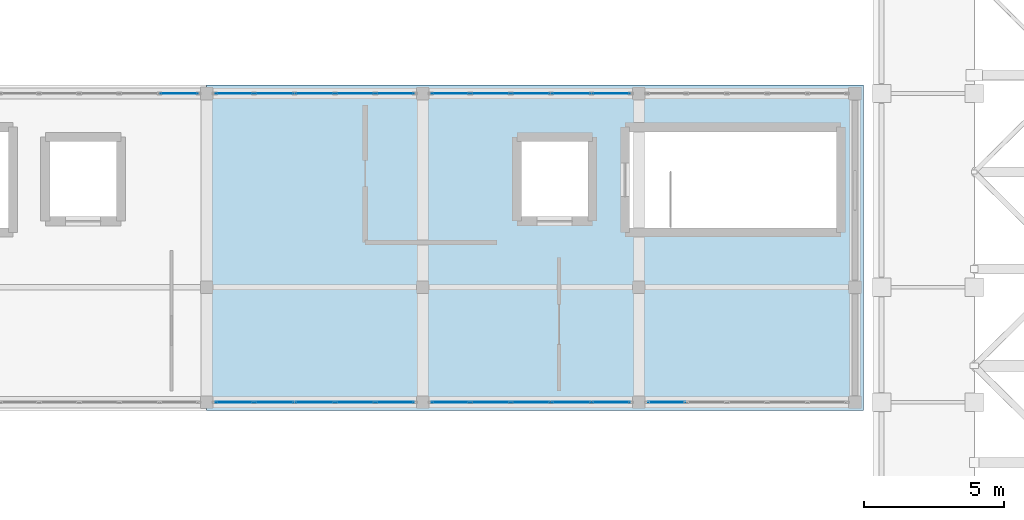
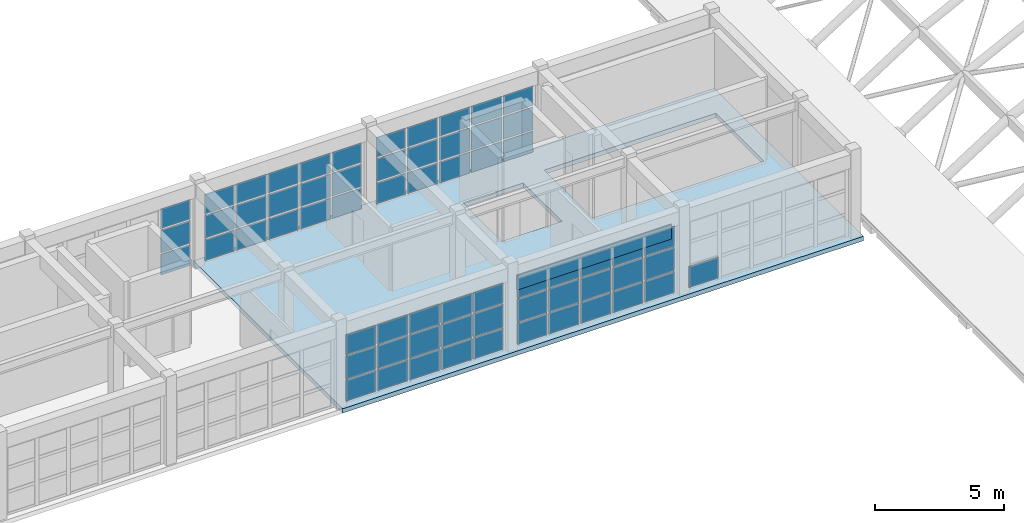
# One storey, part 37 of 52: 65 plates, 1 slab, 6 elements without a shape of their own.
"""IFC4 building model written with IfcOpenShell, lengths in metres."""

from ifc_helpers import new_model, si_unit, direction, frame, origin, origin_2d, place, context, subcontext, project, spatial, polyline, rectangle, outline, extrude, material, layer, layer_set, type_object, element, aggregate, save


model = new_model("IFC4")

# Units and contexts
model_context = context("Model", 3, precision=1e-05, world=origin(), true_north=direction((0.0, 1.0)))
body_context = subcontext(model_context, "Body", "Model", "MODEL_VIEW")
ifc_project = project(units=[si_unit("LENGTHUNIT", "METRE"), si_unit("AREAUNIT", "SQUARE_METRE"), si_unit("VOLUMEUNIT", "CUBIC_METRE"), si_unit("PLANEANGLEUNIT", "RADIAN"), si_unit("MASSUNIT", "GRAM", prefix="KILO")], contexts=[model_context])

# Site, building, storey
site_placement = place(None, origin())
site = spatial("IfcSite", under=ifc_project, at=site_placement, CompositionType="ELEMENT")
building_placement = place(site_placement, origin())
building = spatial("IfcBuilding", under=site, at=building_placement, Name="Candilejo Ridge Gondola Terminal", CompositionType="ELEMENT")
storey_placement = place(building_placement, frame((0.0, 0.0, 18.60009765625)))
storey = spatial("IfcBuildingStorey", under=building, at=storey_placement, Name="L04", CompositionType="ELEMENT", Elevation=18.60009765625)

# Curtain wall, plates
ifc_material_1 = material(Name="Anodised aluminium AA 6063-T6", Category="aluminium")
ifc_layer_1 = layer(ifc_material_1, 0.169921875)
ifc_layer_set_1 = layer_set([ifc_layer_1], Name="ARC-CW-GALLERY-3200-715X329")
curtain_wall_type_1 = type_object("IfcCurtainWallType", Name="ARC-CW-GALLERY-3200-715X329", PredefinedType="NOTDEFINED", material=ifc_layer_set_1)
curtain_wall_1_placement = place(storey_placement, origin())
curtain_wall_1 = element("IfcCurtainWall", 1, at=curtain_wall_1_placement, inside=storey, type_object=curtain_wall_type_1, Name="Curtain wall V3 L04-102", PredefinedType="NOTDEFINED")
ifc_material_2 = material(Name="Low-E laminated double glazing 6+12A+6+1.52PVB+6 mm", Category="glass")
ifc_layer_2 = layer(ifc_material_2, 0.028076171875)
ifc_layer_set_2 = layer_set([ifc_layer_2], Name="ARC-CW-GLAZ-PANEL")
plate_type_1 = type_object("IfcPlateType", Name="ARC-CW-GLAZ-PANEL", PredefinedType="CURTAIN_PANEL", material=ifc_layer_set_2)
plate_1_placement = place(storey_placement, frame((108.8662109375, 36.699951171875, 0.07470703125), z_axis=(0.0, 0.0, 1.0), x_axis=(1.0, 0.0, 0.0)))
plate_1 = element("IfcPlate", 2, at=plate_1_placement, type_object=plate_type_1, Name="CW-71X32 panel 5.1", PredefinedType="CURTAIN_PANEL", context=body_context, shape_type="SweptSolid", body=[
    extrude(rectangle(XDim=1.3173828125, YDim=0.028076171875, at=origin_2d()), origin(), (0.0, 0.0, 1.0), 0.987548828125),
])
plate_2_placement = place(storey_placement, frame((108.8662109375, 36.699951171875, 1.13720703125), z_axis=(0.0, 0.0, 1.0), x_axis=(1.0, 0.0, 0.0)))
plate_2 = element("IfcPlate", 3, at=plate_2_placement, type_object=plate_type_1, Name="CW-71X32 panel 5.2", PredefinedType="CURTAIN_PANEL", context=body_context, shape_type="SweptSolid", body=[
    extrude(rectangle(XDim=1.3173828125, YDim=0.028076171875, at=origin_2d()), origin(), (0.0, 0.0, 1.0), 1.074951171875),
])
plate_3_placement = place(storey_placement, frame((108.8662109375, 36.699951171875, 2.28759765625), z_axis=(0.0, 0.0, 1.0), x_axis=(1.0, 0.0, 0.0)))
plate_3 = element("IfcPlate", 4, at=plate_3_placement, type_object=plate_type_1, Name="CW-71X32 panel 5.3", PredefinedType="CURTAIN_PANEL", context=body_context, shape_type="SweptSolid", body=[
    extrude(rectangle(XDim=1.3173828125, YDim=0.028076171875, at=origin_2d()), origin(), (0.0, 0.0, 1.0), 0.927490234375),
])
aggregate(curtain_wall_1, [plate_1, plate_2, plate_3])

ifc_material_3 = material(Name="Anodised aluminium AA 6063-T6", Category="aluminium")
ifc_layer_3 = layer(ifc_material_3, 0.169921875)
ifc_layer_set_3 = layer_set([ifc_layer_3], Name="ARC-CW-GALLERY-3200-720X329")
curtain_wall_type_2 = type_object("IfcCurtainWallType", Name="ARC-CW-GALLERY-3200-720X329", PredefinedType="NOTDEFINED", material=ifc_layer_set_3)
curtain_wall_2_placement = place(storey_placement, origin())
curtain_wall_2 = element("IfcCurtainWall", 5, at=curtain_wall_2_placement, inside=storey, type_object=curtain_wall_type_2, Name="Curtain wall V3 L04-104", PredefinedType="NOTDEFINED")
plate_4_placement = place(storey_placement, frame((110.8388671875, 36.699951171875, 0.07470703125), z_axis=(0.0, 0.0, 1.0), x_axis=(1.0, 0.0, 0.0)))
plate_4 = element("IfcPlate", 6, at=plate_4_placement, type_object=plate_type_1, Name="CW-72X32 panel 1.1", PredefinedType="CURTAIN_PANEL", context=body_context, shape_type="SweptSolid", body=[
    extrude(rectangle(XDim=1.327392578125, YDim=0.028076171875, at=origin_2d()), origin(), (0.0, 0.0, 1.0), 0.987548828125),
])
plate_5_placement = place(storey_placement, frame((110.8388671875, 36.699951171875, 1.13720703125), z_axis=(0.0, 0.0, 1.0), x_axis=(1.0, 0.0, 0.0)))
plate_5 = element("IfcPlate", 7, at=plate_5_placement, type_object=plate_type_1, Name="CW-72X32 panel 1.2", PredefinedType="CURTAIN_PANEL", context=body_context, shape_type="SweptSolid", body=[
    extrude(rectangle(XDim=1.327392578125, YDim=0.028076171875, at=origin_2d()), origin(), (0.0, 0.0, 1.0), 1.074951171875),
])
plate_6_placement = place(storey_placement, frame((110.8388671875, 36.699951171875, 2.28759765625), z_axis=(0.0, 0.0, 1.0), x_axis=(1.0, 0.0, 0.0)))
plate_6 = element("IfcPlate", 8, at=plate_6_placement, type_object=plate_type_1, Name="CW-72X32 panel 1.3", PredefinedType="CURTAIN_PANEL", context=body_context, shape_type="SweptSolid", body=[
    extrude(rectangle(XDim=1.327392578125, YDim=0.028076171875, at=origin_2d()), origin(), (0.0, 0.0, 1.0), 0.927490234375),
])
plate_7_placement = place(storey_placement, frame((112.260009765625, 36.699951171875, 0.07470703125), z_axis=(0.0, 0.0, 1.0), x_axis=(1.0, 0.0, 0.0)))
plate_7 = element("IfcPlate", 9, at=plate_7_placement, type_object=plate_type_1, Name="CW-72X32 panel 2.1", PredefinedType="CURTAIN_PANEL", context=body_context, shape_type="SweptSolid", body=[
    extrude(rectangle(XDim=1.364990234375, YDim=0.028076171875, at=origin_2d()), origin(), (0.0, 0.0, 1.0), 0.987548828125),
])
plate_8_placement = place(storey_placement, frame((112.260009765625, 36.699951171875, 1.13720703125), z_axis=(0.0, 0.0, 1.0), x_axis=(1.0, 0.0, 0.0)))
plate_8 = element("IfcPlate", 10, at=plate_8_placement, type_object=plate_type_1, Name="CW-72X32 panel 2.2", PredefinedType="CURTAIN_PANEL", context=body_context, shape_type="SweptSolid", body=[
    extrude(rectangle(XDim=1.364990234375, YDim=0.028076171875, at=origin_2d()), origin(), (0.0, 0.0, 1.0), 1.074951171875),
])
plate_9_placement = place(storey_placement, frame((112.260009765625, 36.699951171875, 2.28759765625), z_axis=(0.0, 0.0, 1.0), x_axis=(1.0, 0.0, 0.0)))
plate_9 = element("IfcPlate", 11, at=plate_9_placement, type_object=plate_type_1, Name="CW-72X32 panel 2.3", PredefinedType="CURTAIN_PANEL", context=body_context, shape_type="SweptSolid", body=[
    extrude(rectangle(XDim=1.364990234375, YDim=0.028076171875, at=origin_2d()), origin(), (0.0, 0.0, 1.0), 0.927490234375),
])
plate_10_placement = place(storey_placement, frame((113.699951171875, 36.699951171875, 0.07470703125), z_axis=(0.0, 0.0, 1.0), x_axis=(1.0, 0.0, 0.0)))
plate_10 = element("IfcPlate", 12, at=plate_10_placement, type_object=plate_type_1, Name="CW-72X32 panel 3.1", PredefinedType="CURTAIN_PANEL", context=body_context, shape_type="SweptSolid", body=[
    extrude(rectangle(XDim=1.364990234375, YDim=0.028076171875, at=origin_2d()), origin(), (0.0, 0.0, 1.0), 0.987548828125),
])
plate_11_placement = place(storey_placement, frame((113.699951171875, 36.699951171875, 1.13720703125), z_axis=(0.0, 0.0, 1.0), x_axis=(1.0, 0.0, 0.0)))
plate_11 = element("IfcPlate", 13, at=plate_11_placement, type_object=plate_type_1, Name="CW-72X32 panel 3.2", PredefinedType="CURTAIN_PANEL", context=body_context, shape_type="SweptSolid", body=[
    extrude(rectangle(XDim=1.364990234375, YDim=0.028076171875, at=origin_2d()), origin(), (0.0, 0.0, 1.0), 1.074951171875),
])
plate_12_placement = place(storey_placement, frame((113.699951171875, 36.699951171875, 2.28759765625), z_axis=(0.0, 0.0, 1.0), x_axis=(1.0, 0.0, 0.0)))
plate_12 = element("IfcPlate", 14, at=plate_12_placement, type_object=plate_type_1, Name="CW-72X32 panel 3.3", PredefinedType="CURTAIN_PANEL", context=body_context, shape_type="SweptSolid", body=[
    extrude(rectangle(XDim=1.364990234375, YDim=0.028076171875, at=origin_2d()), origin(), (0.0, 0.0, 1.0), 0.927490234375),
])
plate_13_placement = place(storey_placement, frame((115.139892578125, 36.699951171875, 0.07470703125), z_axis=(0.0, 0.0, 1.0), x_axis=(1.0, 0.0, 0.0)))
plate_13 = element("IfcPlate", 15, at=plate_13_placement, type_object=plate_type_1, Name="CW-72X32 panel 4.1", PredefinedType="CURTAIN_PANEL", context=body_context, shape_type="SweptSolid", body=[
    extrude(rectangle(XDim=1.364990234375, YDim=0.028076171875, at=origin_2d()), origin(), (0.0, 0.0, 1.0), 0.987548828125),
])
plate_14_placement = place(storey_placement, frame((115.139892578125, 36.699951171875, 1.13720703125), z_axis=(0.0, 0.0, 1.0), x_axis=(1.0, 0.0, 0.0)))
plate_14 = element("IfcPlate", 16, at=plate_14_placement, type_object=plate_type_1, Name="CW-72X32 panel 4.2", PredefinedType="CURTAIN_PANEL", context=body_context, shape_type="SweptSolid", body=[
    extrude(rectangle(XDim=1.364990234375, YDim=0.028076171875, at=origin_2d()), origin(), (0.0, 0.0, 1.0), 1.074951171875),
])
plate_15_placement = place(storey_placement, frame((115.139892578125, 36.699951171875, 2.28759765625), z_axis=(0.0, 0.0, 1.0), x_axis=(1.0, 0.0, 0.0)))
plate_15 = element("IfcPlate", 17, at=plate_15_placement, type_object=plate_type_1, Name="CW-72X32 panel 4.3", PredefinedType="CURTAIN_PANEL", context=body_context, shape_type="SweptSolid", body=[
    extrude(rectangle(XDim=1.364990234375, YDim=0.028076171875, at=origin_2d()), origin(), (0.0, 0.0, 1.0), 0.927490234375),
])
plate_16_placement = place(storey_placement, frame((116.561279296875, 36.699951171875, 0.07470703125), z_axis=(0.0, 0.0, 1.0), x_axis=(1.0, 0.0, 0.0)))
plate_16 = element("IfcPlate", 18, at=plate_16_placement, type_object=plate_type_1, Name="CW-72X32 panel 5.1", PredefinedType="CURTAIN_PANEL", context=body_context, shape_type="SweptSolid", body=[
    extrude(rectangle(XDim=1.327392578125, YDim=0.028076171875, at=origin_2d()), origin(), (0.0, 0.0, 1.0), 0.987548828125),
])
plate_17_placement = place(storey_placement, frame((116.561279296875, 36.699951171875, 1.13720703125), z_axis=(0.0, 0.0, 1.0), x_axis=(1.0, 0.0, 0.0)))
plate_17 = element("IfcPlate", 19, at=plate_17_placement, type_object=plate_type_1, Name="CW-72X32 panel 5.2", PredefinedType="CURTAIN_PANEL", context=body_context, shape_type="SweptSolid", body=[
    extrude(rectangle(XDim=1.327392578125, YDim=0.028076171875, at=origin_2d()), origin(), (0.0, 0.0, 1.0), 1.074951171875),
])
plate_18_placement = place(storey_placement, frame((116.561279296875, 36.699951171875, 2.28759765625), z_axis=(0.0, 0.0, 1.0), x_axis=(1.0, 0.0, 0.0)))
plate_18 = element("IfcPlate", 20, at=plate_18_placement, type_object=plate_type_1, Name="CW-72X32 panel 5.3", PredefinedType="CURTAIN_PANEL", context=body_context, shape_type="SweptSolid", body=[
    extrude(rectangle(XDim=1.327392578125, YDim=0.028076171875, at=origin_2d()), origin(), (0.0, 0.0, 1.0), 0.927490234375),
])
aggregate(curtain_wall_2, [plate_4, plate_5, plate_6, plate_7, plate_8, plate_9, plate_10, plate_11, plate_12, plate_13, plate_14, plate_15, plate_16, plate_17, plate_18])

curtain_wall_3_placement = place(storey_placement, origin())
curtain_wall_3 = element("IfcCurtainWall", 21, at=curtain_wall_3_placement, inside=storey, type_object=curtain_wall_type_2, Name="Curtain wall V3 L04-105", PredefinedType="NOTDEFINED")
plate_19_placement = place(storey_placement, frame((110.8388671875, 25.699951171875, 0.07470703125), z_axis=(0.0, 0.0, 1.0), x_axis=(1.0, 0.0, 0.0)))
plate_19 = element("IfcPlate", 22, at=plate_19_placement, type_object=plate_type_1, Name="CW-72X32 panel 1.1", PredefinedType="CURTAIN_PANEL", context=body_context, shape_type="SweptSolid", body=[
    extrude(rectangle(XDim=1.327392578125, YDim=0.028076171875, at=origin_2d()), origin(), (0.0, 0.0, 1.0), 0.987548828125),
])
plate_20_placement = place(storey_placement, frame((110.8388671875, 25.699951171875, 1.13720703125), z_axis=(0.0, 0.0, 1.0), x_axis=(1.0, 0.0, 0.0)))
plate_20 = element("IfcPlate", 23, at=plate_20_placement, type_object=plate_type_1, Name="CW-72X32 panel 1.2", PredefinedType="CURTAIN_PANEL", context=body_context, shape_type="SweptSolid", body=[
    extrude(rectangle(XDim=1.327392578125, YDim=0.028076171875, at=origin_2d()), origin(), (0.0, 0.0, 1.0), 1.074951171875),
])
plate_21_placement = place(storey_placement, frame((110.8388671875, 25.699951171875, 2.28759765625), z_axis=(0.0, 0.0, 1.0), x_axis=(1.0, 0.0, 0.0)))
plate_21 = element("IfcPlate", 24, at=plate_21_placement, type_object=plate_type_1, Name="CW-72X32 panel 1.3", PredefinedType="CURTAIN_PANEL", context=body_context, shape_type="SweptSolid", body=[
    extrude(rectangle(XDim=1.327392578125, YDim=0.028076171875, at=origin_2d()), origin(), (0.0, 0.0, 1.0), 0.927490234375),
])
plate_22_placement = place(storey_placement, frame((112.260009765625, 25.699951171875, 0.07470703125), z_axis=(0.0, 0.0, 1.0), x_axis=(1.0, 0.0, 0.0)))
plate_22 = element("IfcPlate", 25, at=plate_22_placement, type_object=plate_type_1, Name="CW-72X32 panel 2.1", PredefinedType="CURTAIN_PANEL", context=body_context, shape_type="SweptSolid", body=[
    extrude(rectangle(XDim=1.364990234375, YDim=0.028076171875, at=origin_2d()), origin(), (0.0, 0.0, 1.0), 0.987548828125),
])
plate_23_placement = place(storey_placement, frame((112.260009765625, 25.699951171875, 1.13720703125), z_axis=(0.0, 0.0, 1.0), x_axis=(1.0, 0.0, 0.0)))
plate_23 = element("IfcPlate", 26, at=plate_23_placement, type_object=plate_type_1, Name="CW-72X32 panel 2.2", PredefinedType="CURTAIN_PANEL", context=body_context, shape_type="SweptSolid", body=[
    extrude(rectangle(XDim=1.364990234375, YDim=0.028076171875, at=origin_2d()), origin(), (0.0, 0.0, 1.0), 1.074951171875),
])
plate_24_placement = place(storey_placement, frame((112.260009765625, 25.699951171875, 2.28759765625), z_axis=(0.0, 0.0, 1.0), x_axis=(1.0, 0.0, 0.0)))
plate_24 = element("IfcPlate", 27, at=plate_24_placement, type_object=plate_type_1, Name="CW-72X32 panel 2.3", PredefinedType="CURTAIN_PANEL", context=body_context, shape_type="SweptSolid", body=[
    extrude(rectangle(XDim=1.364990234375, YDim=0.028076171875, at=origin_2d()), origin(), (0.0, 0.0, 1.0), 0.927490234375),
])
plate_25_placement = place(storey_placement, frame((113.699951171875, 25.699951171875, 0.07470703125), z_axis=(0.0, 0.0, 1.0), x_axis=(1.0, 0.0, 0.0)))
plate_25 = element("IfcPlate", 28, at=plate_25_placement, type_object=plate_type_1, Name="CW-72X32 panel 3.1", PredefinedType="CURTAIN_PANEL", context=body_context, shape_type="SweptSolid", body=[
    extrude(rectangle(XDim=1.364990234375, YDim=0.028076171875, at=origin_2d()), origin(), (0.0, 0.0, 1.0), 0.987548828125),
])
plate_26_placement = place(storey_placement, frame((113.699951171875, 25.699951171875, 1.13720703125), z_axis=(0.0, 0.0, 1.0), x_axis=(1.0, 0.0, 0.0)))
plate_26 = element("IfcPlate", 29, at=plate_26_placement, type_object=plate_type_1, Name="CW-72X32 panel 3.2", PredefinedType="CURTAIN_PANEL", context=body_context, shape_type="SweptSolid", body=[
    extrude(rectangle(XDim=1.364990234375, YDim=0.028076171875, at=origin_2d()), origin(), (0.0, 0.0, 1.0), 1.074951171875),
])
plate_27_placement = place(storey_placement, frame((113.699951171875, 25.699951171875, 2.28759765625), z_axis=(0.0, 0.0, 1.0), x_axis=(1.0, 0.0, 0.0)))
plate_27 = element("IfcPlate", 30, at=plate_27_placement, type_object=plate_type_1, Name="CW-72X32 panel 3.3", PredefinedType="CURTAIN_PANEL", context=body_context, shape_type="SweptSolid", body=[
    extrude(rectangle(XDim=1.364990234375, YDim=0.028076171875, at=origin_2d()), origin(), (0.0, 0.0, 1.0), 0.927490234375),
])
plate_28_placement = place(storey_placement, frame((115.139892578125, 25.699951171875, 0.07470703125), z_axis=(0.0, 0.0, 1.0), x_axis=(1.0, 0.0, 0.0)))
plate_28 = element("IfcPlate", 31, at=plate_28_placement, type_object=plate_type_1, Name="CW-72X32 panel 4.1", PredefinedType="CURTAIN_PANEL", context=body_context, shape_type="SweptSolid", body=[
    extrude(rectangle(XDim=1.364990234375, YDim=0.028076171875, at=origin_2d()), origin(), (0.0, 0.0, 1.0), 0.987548828125),
])
plate_29_placement = place(storey_placement, frame((115.139892578125, 25.699951171875, 1.13720703125), z_axis=(0.0, 0.0, 1.0), x_axis=(1.0, 0.0, 0.0)))
plate_29 = element("IfcPlate", 32, at=plate_29_placement, type_object=plate_type_1, Name="CW-72X32 panel 4.2", PredefinedType="CURTAIN_PANEL", context=body_context, shape_type="SweptSolid", body=[
    extrude(rectangle(XDim=1.364990234375, YDim=0.028076171875, at=origin_2d()), origin(), (0.0, 0.0, 1.0), 1.074951171875),
])
plate_30_placement = place(storey_placement, frame((115.139892578125, 25.699951171875, 2.28759765625), z_axis=(0.0, 0.0, 1.0), x_axis=(1.0, 0.0, 0.0)))
plate_30 = element("IfcPlate", 33, at=plate_30_placement, type_object=plate_type_1, Name="CW-72X32 panel 4.3", PredefinedType="CURTAIN_PANEL", context=body_context, shape_type="SweptSolid", body=[
    extrude(rectangle(XDim=1.364990234375, YDim=0.028076171875, at=origin_2d()), origin(), (0.0, 0.0, 1.0), 0.927490234375),
])
plate_31_placement = place(storey_placement, frame((116.561279296875, 25.699951171875, 0.07470703125), z_axis=(0.0, 0.0, 1.0), x_axis=(1.0, 0.0, 0.0)))
plate_31 = element("IfcPlate", 34, at=plate_31_placement, type_object=plate_type_1, Name="CW-72X32 panel 5.1", PredefinedType="CURTAIN_PANEL", context=body_context, shape_type="SweptSolid", body=[
    extrude(rectangle(XDim=1.327392578125, YDim=0.028076171875, at=origin_2d()), origin(), (0.0, 0.0, 1.0), 0.987548828125),
])
plate_32_placement = place(storey_placement, frame((116.561279296875, 25.699951171875, 1.13720703125), z_axis=(0.0, 0.0, 1.0), x_axis=(1.0, 0.0, 0.0)))
plate_32 = element("IfcPlate", 35, at=plate_32_placement, type_object=plate_type_1, Name="CW-72X32 panel 5.2", PredefinedType="CURTAIN_PANEL", context=body_context, shape_type="SweptSolid", body=[
    extrude(rectangle(XDim=1.327392578125, YDim=0.028076171875, at=origin_2d()), origin(), (0.0, 0.0, 1.0), 1.074951171875),
])
plate_33_placement = place(storey_placement, frame((116.561279296875, 25.699951171875, 2.28759765625), z_axis=(0.0, 0.0, 1.0), x_axis=(1.0, 0.0, 0.0)))
plate_33 = element("IfcPlate", 36, at=plate_33_placement, type_object=plate_type_1, Name="CW-72X32 panel 5.3", PredefinedType="CURTAIN_PANEL", context=body_context, shape_type="SweptSolid", body=[
    extrude(rectangle(XDim=1.327392578125, YDim=0.028076171875, at=origin_2d()), origin(), (0.0, 0.0, 1.0), 0.927490234375),
])
aggregate(curtain_wall_3, [plate_19, plate_20, plate_21, plate_22, plate_23, plate_24, plate_25, plate_26, plate_27, plate_28, plate_29, plate_30, plate_31, plate_32, plate_33])

curtain_wall_4_placement = place(storey_placement, origin())
curtain_wall_4 = element("IfcCurtainWall", 37, at=curtain_wall_4_placement, inside=storey, type_object=curtain_wall_type_2, Name="Curtain wall V3 L04-106", PredefinedType="NOTDEFINED")
plate_34_placement = place(storey_placement, frame((118.538818359375, 36.699951171875, 0.07470703125), z_axis=(0.0, 0.0, 1.0), x_axis=(1.0, 0.0, 0.0)))
plate_34 = element("IfcPlate", 38, at=plate_34_placement, type_object=plate_type_1, Name="CW-72X32 panel 1.1", PredefinedType="CURTAIN_PANEL", context=body_context, shape_type="SweptSolid", body=[
    extrude(rectangle(XDim=1.327392578125, YDim=0.028076171875, at=origin_2d()), origin(), (0.0, 0.0, 1.0), 0.987548828125),
])
plate_35_placement = place(storey_placement, frame((118.538818359375, 36.699951171875, 1.13720703125), z_axis=(0.0, 0.0, 1.0), x_axis=(1.0, 0.0, 0.0)))
plate_35 = element("IfcPlate", 39, at=plate_35_placement, type_object=plate_type_1, Name="CW-72X32 panel 1.2", PredefinedType="CURTAIN_PANEL", context=body_context, shape_type="SweptSolid", body=[
    extrude(rectangle(XDim=1.327392578125, YDim=0.028076171875, at=origin_2d()), origin(), (0.0, 0.0, 1.0), 1.074951171875),
])
plate_36_placement = place(storey_placement, frame((118.538818359375, 36.699951171875, 2.28759765625), z_axis=(0.0, 0.0, 1.0), x_axis=(1.0, 0.0, 0.0)))
plate_36 = element("IfcPlate", 40, at=plate_36_placement, type_object=plate_type_1, Name="CW-72X32 panel 1.3", PredefinedType="CURTAIN_PANEL", context=body_context, shape_type="SweptSolid", body=[
    extrude(rectangle(XDim=1.327392578125, YDim=0.028076171875, at=origin_2d()), origin(), (0.0, 0.0, 1.0), 0.927490234375),
])
plate_37_placement = place(storey_placement, frame((119.9599609375, 36.699951171875, 0.07470703125), z_axis=(0.0, 0.0, 1.0), x_axis=(1.0, 0.0, 0.0)))
plate_37 = element("IfcPlate", 41, at=plate_37_placement, type_object=plate_type_1, Name="CW-72X32 panel 2.1", PredefinedType="CURTAIN_PANEL", context=body_context, shape_type="SweptSolid", body=[
    extrude(rectangle(XDim=1.364990234375, YDim=0.028076171875, at=origin_2d()), origin(), (0.0, 0.0, 1.0), 0.987548828125),
])
plate_38_placement = place(storey_placement, frame((119.9599609375, 36.699951171875, 1.13720703125), z_axis=(0.0, 0.0, 1.0), x_axis=(1.0, 0.0, 0.0)))
plate_38 = element("IfcPlate", 42, at=plate_38_placement, type_object=plate_type_1, Name="CW-72X32 panel 2.2", PredefinedType="CURTAIN_PANEL", context=body_context, shape_type="SweptSolid", body=[
    extrude(rectangle(XDim=1.364990234375, YDim=0.028076171875, at=origin_2d()), origin(), (0.0, 0.0, 1.0), 1.074951171875),
])
plate_39_placement = place(storey_placement, frame((119.9599609375, 36.699951171875, 2.28759765625), z_axis=(0.0, 0.0, 1.0), x_axis=(1.0, 0.0, 0.0)))
plate_39 = element("IfcPlate", 43, at=plate_39_placement, type_object=plate_type_1, Name="CW-72X32 panel 2.3", PredefinedType="CURTAIN_PANEL", context=body_context, shape_type="SweptSolid", body=[
    extrude(rectangle(XDim=1.364990234375, YDim=0.028076171875, at=origin_2d()), origin(), (0.0, 0.0, 1.0), 0.927490234375),
])
plate_40_placement = place(storey_placement, frame((121.39990234375, 36.699951171875, 0.07470703125), z_axis=(0.0, 0.0, 1.0), x_axis=(1.0, 0.0, 0.0)))
plate_40 = element("IfcPlate", 44, at=plate_40_placement, type_object=plate_type_1, Name="CW-72X32 panel 3.1", PredefinedType="CURTAIN_PANEL", context=body_context, shape_type="SweptSolid", body=[
    extrude(rectangle(XDim=1.364990234375, YDim=0.028076171875, at=origin_2d()), origin(), (0.0, 0.0, 1.0), 0.987548828125),
])
plate_41_placement = place(storey_placement, frame((121.39990234375, 36.699951171875, 1.13720703125), z_axis=(0.0, 0.0, 1.0), x_axis=(1.0, 0.0, 0.0)))
plate_41 = element("IfcPlate", 45, at=plate_41_placement, type_object=plate_type_1, Name="CW-72X32 panel 3.2", PredefinedType="CURTAIN_PANEL", context=body_context, shape_type="SweptSolid", body=[
    extrude(rectangle(XDim=1.364990234375, YDim=0.028076171875, at=origin_2d()), origin(), (0.0, 0.0, 1.0), 1.074951171875),
])
plate_42_placement = place(storey_placement, frame((121.39990234375, 36.699951171875, 2.28759765625), z_axis=(0.0, 0.0, 1.0), x_axis=(1.0, 0.0, 0.0)))
plate_42 = element("IfcPlate", 46, at=plate_42_placement, type_object=plate_type_1, Name="CW-72X32 panel 3.3", PredefinedType="CURTAIN_PANEL", context=body_context, shape_type="SweptSolid", body=[
    extrude(rectangle(XDim=1.364990234375, YDim=0.028076171875, at=origin_2d()), origin(), (0.0, 0.0, 1.0), 0.927490234375),
])
plate_43_placement = place(storey_placement, frame((122.840087890625, 36.699951171875, 0.07470703125), z_axis=(0.0, 0.0, 1.0), x_axis=(1.0, 0.0, 0.0)))
plate_43 = element("IfcPlate", 47, at=plate_43_placement, type_object=plate_type_1, Name="CW-72X32 panel 4.1", PredefinedType="CURTAIN_PANEL", context=body_context, shape_type="SweptSolid", body=[
    extrude(rectangle(XDim=1.364990234375, YDim=0.028076171875, at=origin_2d()), origin(), (0.0, 0.0, 1.0), 0.987548828125),
])
plate_44_placement = place(storey_placement, frame((122.840087890625, 36.699951171875, 1.13720703125), z_axis=(0.0, 0.0, 1.0), x_axis=(1.0, 0.0, 0.0)))
plate_44 = element("IfcPlate", 48, at=plate_44_placement, type_object=plate_type_1, Name="CW-72X32 panel 4.2", PredefinedType="CURTAIN_PANEL", context=body_context, shape_type="SweptSolid", body=[
    extrude(rectangle(XDim=1.364990234375, YDim=0.028076171875, at=origin_2d()), origin(), (0.0, 0.0, 1.0), 1.074951171875),
])
plate_45_placement = place(storey_placement, frame((122.840087890625, 36.699951171875, 2.28759765625), z_axis=(0.0, 0.0, 1.0), x_axis=(1.0, 0.0, 0.0)))
plate_45 = element("IfcPlate", 49, at=plate_45_placement, type_object=plate_type_1, Name="CW-72X32 panel 4.3", PredefinedType="CURTAIN_PANEL", context=body_context, shape_type="SweptSolid", body=[
    extrude(rectangle(XDim=1.364990234375, YDim=0.028076171875, at=origin_2d()), origin(), (0.0, 0.0, 1.0), 0.927490234375),
])
plate_46_placement = place(storey_placement, frame((124.26123046875, 36.699951171875, 0.07470703125), z_axis=(0.0, 0.0, 1.0), x_axis=(1.0, 0.0, 0.0)))
plate_46 = element("IfcPlate", 50, at=plate_46_placement, type_object=plate_type_1, Name="CW-72X32 panel 5.1", PredefinedType="CURTAIN_PANEL", context=body_context, shape_type="SweptSolid", body=[
    extrude(rectangle(XDim=1.327392578125, YDim=0.028076171875, at=origin_2d()), origin(), (0.0, 0.0, 1.0), 0.987548828125),
])
plate_47_placement = place(storey_placement, frame((124.26123046875, 36.699951171875, 1.13720703125), z_axis=(0.0, 0.0, 1.0), x_axis=(1.0, 0.0, 0.0)))
plate_47 = element("IfcPlate", 51, at=plate_47_placement, type_object=plate_type_1, Name="CW-72X32 panel 5.2", PredefinedType="CURTAIN_PANEL", context=body_context, shape_type="SweptSolid", body=[
    extrude(rectangle(XDim=1.327392578125, YDim=0.028076171875, at=origin_2d()), origin(), (0.0, 0.0, 1.0), 1.074951171875),
])
plate_48_placement = place(storey_placement, frame((124.26123046875, 36.699951171875, 2.28759765625), z_axis=(0.0, 0.0, 1.0), x_axis=(1.0, 0.0, 0.0)))
plate_48 = element("IfcPlate", 52, at=plate_48_placement, type_object=plate_type_1, Name="CW-72X32 panel 5.3", PredefinedType="CURTAIN_PANEL", context=body_context, shape_type="SweptSolid", body=[
    extrude(rectangle(XDim=1.327392578125, YDim=0.028076171875, at=origin_2d()), origin(), (0.0, 0.0, 1.0), 0.927490234375),
])
aggregate(curtain_wall_4, [plate_34, plate_35, plate_36, plate_37, plate_38, plate_39, plate_40, plate_41, plate_42, plate_43, plate_44, plate_45, plate_46, plate_47, plate_48])

curtain_wall_5_placement = place(storey_placement, origin())
curtain_wall_5 = element("IfcCurtainWall", 53, at=curtain_wall_5_placement, inside=storey, type_object=curtain_wall_type_2, Name="Curtain wall V3 L04-107", PredefinedType="NOTDEFINED")
plate_49_placement = place(storey_placement, frame((118.538818359375, 25.699951171875, 0.07470703125), z_axis=(0.0, 0.0, 1.0), x_axis=(1.0, 0.0, 0.0)))
plate_49 = element("IfcPlate", 54, at=plate_49_placement, type_object=plate_type_1, Name="CW-72X32 panel 1.1", PredefinedType="CURTAIN_PANEL", context=body_context, shape_type="SweptSolid", body=[
    extrude(rectangle(XDim=1.327392578125, YDim=0.028076171875, at=origin_2d()), origin(), (0.0, 0.0, 1.0), 0.987548828125),
])
plate_50_placement = place(storey_placement, frame((118.538818359375, 25.699951171875, 1.13720703125), z_axis=(0.0, 0.0, 1.0), x_axis=(1.0, 0.0, 0.0)))
plate_50 = element("IfcPlate", 55, at=plate_50_placement, type_object=plate_type_1, Name="CW-72X32 panel 1.2", PredefinedType="CURTAIN_PANEL", context=body_context, shape_type="SweptSolid", body=[
    extrude(rectangle(XDim=1.327392578125, YDim=0.028076171875, at=origin_2d()), origin(), (0.0, 0.0, 1.0), 1.074951171875),
])
plate_51_placement = place(storey_placement, frame((118.538818359375, 25.699951171875, 2.28759765625), z_axis=(0.0, 0.0, 1.0), x_axis=(1.0, 0.0, 0.0)))
plate_51 = element("IfcPlate", 56, at=plate_51_placement, type_object=plate_type_1, Name="CW-72X32 panel 1.3", PredefinedType="CURTAIN_PANEL", context=body_context, shape_type="SweptSolid", body=[
    extrude(rectangle(XDim=1.327392578125, YDim=0.028076171875, at=origin_2d()), origin(), (0.0, 0.0, 1.0), 0.927490234375),
])
plate_52_placement = place(storey_placement, frame((119.9599609375, 25.699951171875, 0.07470703125), z_axis=(0.0, 0.0, 1.0), x_axis=(1.0, 0.0, 0.0)))
plate_52 = element("IfcPlate", 57, at=plate_52_placement, type_object=plate_type_1, Name="CW-72X32 panel 2.1", PredefinedType="CURTAIN_PANEL", context=body_context, shape_type="SweptSolid", body=[
    extrude(rectangle(XDim=1.364990234375, YDim=0.028076171875, at=origin_2d()), origin(), (0.0, 0.0, 1.0), 0.987548828125),
])
plate_53_placement = place(storey_placement, frame((119.9599609375, 25.699951171875, 1.13720703125), z_axis=(0.0, 0.0, 1.0), x_axis=(1.0, 0.0, 0.0)))
plate_53 = element("IfcPlate", 58, at=plate_53_placement, type_object=plate_type_1, Name="CW-72X32 panel 2.2", PredefinedType="CURTAIN_PANEL", context=body_context, shape_type="SweptSolid", body=[
    extrude(rectangle(XDim=1.364990234375, YDim=0.028076171875, at=origin_2d()), origin(), (0.0, 0.0, 1.0), 1.074951171875),
])
plate_54_placement = place(storey_placement, frame((119.9599609375, 25.699951171875, 2.28759765625), z_axis=(0.0, 0.0, 1.0), x_axis=(1.0, 0.0, 0.0)))
plate_54 = element("IfcPlate", 59, at=plate_54_placement, type_object=plate_type_1, Name="CW-72X32 panel 2.3", PredefinedType="CURTAIN_PANEL", context=body_context, shape_type="SweptSolid", body=[
    extrude(rectangle(XDim=1.364990234375, YDim=0.028076171875, at=origin_2d()), origin(), (0.0, 0.0, 1.0), 0.927490234375),
])
plate_55_placement = place(storey_placement, frame((121.39990234375, 25.699951171875, 0.07470703125), z_axis=(0.0, 0.0, 1.0), x_axis=(1.0, 0.0, 0.0)))
plate_55 = element("IfcPlate", 60, at=plate_55_placement, type_object=plate_type_1, Name="CW-72X32 panel 3.1", PredefinedType="CURTAIN_PANEL", context=body_context, shape_type="SweptSolid", body=[
    extrude(rectangle(XDim=1.364990234375, YDim=0.028076171875, at=origin_2d()), origin(), (0.0, 0.0, 1.0), 0.987548828125),
])
plate_56_placement = place(storey_placement, frame((121.39990234375, 25.699951171875, 1.13720703125), z_axis=(0.0, 0.0, 1.0), x_axis=(1.0, 0.0, 0.0)))
plate_56 = element("IfcPlate", 61, at=plate_56_placement, type_object=plate_type_1, Name="CW-72X32 panel 3.2", PredefinedType="CURTAIN_PANEL", context=body_context, shape_type="SweptSolid", body=[
    extrude(rectangle(XDim=1.364990234375, YDim=0.028076171875, at=origin_2d()), origin(), (0.0, 0.0, 1.0), 1.074951171875),
])
plate_57_placement = place(storey_placement, frame((121.39990234375, 25.699951171875, 2.28759765625), z_axis=(0.0, 0.0, 1.0), x_axis=(1.0, 0.0, 0.0)))
plate_57 = element("IfcPlate", 62, at=plate_57_placement, type_object=plate_type_1, Name="CW-72X32 panel 3.3", PredefinedType="CURTAIN_PANEL", context=body_context, shape_type="SweptSolid", body=[
    extrude(rectangle(XDim=1.364990234375, YDim=0.028076171875, at=origin_2d()), origin(), (0.0, 0.0, 1.0), 0.927490234375),
])
plate_58_placement = place(storey_placement, frame((122.840087890625, 25.699951171875, 0.07470703125), z_axis=(0.0, 0.0, 1.0), x_axis=(1.0, 0.0, 0.0)))
plate_58 = element("IfcPlate", 63, at=plate_58_placement, type_object=plate_type_1, Name="CW-72X32 panel 4.1", PredefinedType="CURTAIN_PANEL", context=body_context, shape_type="SweptSolid", body=[
    extrude(rectangle(XDim=1.364990234375, YDim=0.028076171875, at=origin_2d()), origin(), (0.0, 0.0, 1.0), 0.987548828125),
])
plate_59_placement = place(storey_placement, frame((122.840087890625, 25.699951171875, 1.13720703125), z_axis=(0.0, 0.0, 1.0), x_axis=(1.0, 0.0, 0.0)))
plate_59 = element("IfcPlate", 64, at=plate_59_placement, type_object=plate_type_1, Name="CW-72X32 panel 4.2", PredefinedType="CURTAIN_PANEL", context=body_context, shape_type="SweptSolid", body=[
    extrude(rectangle(XDim=1.364990234375, YDim=0.028076171875, at=origin_2d()), origin(), (0.0, 0.0, 1.0), 1.074951171875),
])
plate_60_placement = place(storey_placement, frame((122.840087890625, 25.699951171875, 2.28759765625), z_axis=(0.0, 0.0, 1.0), x_axis=(1.0, 0.0, 0.0)))
plate_60 = element("IfcPlate", 65, at=plate_60_placement, type_object=plate_type_1, Name="CW-72X32 panel 4.3", PredefinedType="CURTAIN_PANEL", context=body_context, shape_type="SweptSolid", body=[
    extrude(rectangle(XDim=1.364990234375, YDim=0.028076171875, at=origin_2d()), origin(), (0.0, 0.0, 1.0), 0.927490234375),
])
plate_61_placement = place(storey_placement, frame((124.26123046875, 25.699951171875, 0.07470703125), z_axis=(0.0, 0.0, 1.0), x_axis=(1.0, 0.0, 0.0)))
plate_61 = element("IfcPlate", 66, at=plate_61_placement, type_object=plate_type_1, Name="CW-72X32 panel 5.1", PredefinedType="CURTAIN_PANEL", context=body_context, shape_type="SweptSolid", body=[
    extrude(rectangle(XDim=1.327392578125, YDim=0.028076171875, at=origin_2d()), origin(), (0.0, 0.0, 1.0), 0.987548828125),
])
plate_62_placement = place(storey_placement, frame((124.26123046875, 25.699951171875, 1.13720703125), z_axis=(0.0, 0.0, 1.0), x_axis=(1.0, 0.0, 0.0)))
plate_62 = element("IfcPlate", 67, at=plate_62_placement, type_object=plate_type_1, Name="CW-72X32 panel 5.2", PredefinedType="CURTAIN_PANEL", context=body_context, shape_type="SweptSolid", body=[
    extrude(rectangle(XDim=1.327392578125, YDim=0.028076171875, at=origin_2d()), origin(), (0.0, 0.0, 1.0), 1.074951171875),
])
plate_63_placement = place(storey_placement, frame((124.26123046875, 25.699951171875, 2.28759765625), z_axis=(0.0, 0.0, 1.0), x_axis=(1.0, 0.0, 0.0)))
plate_63 = element("IfcPlate", 68, at=plate_63_placement, type_object=plate_type_1, Name="CW-72X32 panel 5.3", PredefinedType="CURTAIN_PANEL", context=body_context, shape_type="SweptSolid", body=[
    extrude(rectangle(XDim=1.327392578125, YDim=0.028076171875, at=origin_2d()), origin(), (0.0, 0.0, 1.0), 0.927490234375),
])
aggregate(curtain_wall_5, [plate_49, plate_50, plate_51, plate_52, plate_53, plate_54, plate_55, plate_56, plate_57, plate_58, plate_59, plate_60, plate_61, plate_62, plate_63])

# Curtain wall, plate
curtain_wall_6_placement = place(storey_placement, origin())
curtain_wall_6 = element("IfcCurtainWall", 69, at=curtain_wall_6_placement, inside=storey, type_object=curtain_wall_type_2, Name="Curtain wall V3 L04-109", PredefinedType="NOTDEFINED")
plate_64_placement = place(storey_placement, frame((126.23876953125, 25.699951171875, 0.07470703125), z_axis=(0.0, 0.0, 1.0), x_axis=(1.0, 0.0, 0.0)))
plate_64 = element("IfcPlate", 70, at=plate_64_placement, type_object=plate_type_1, Name="CW-72X32 panel 1.1", PredefinedType="CURTAIN_PANEL", context=body_context, shape_type="SweptSolid", body=[
    extrude(rectangle(XDim=1.327392578125, YDim=0.028076171875, at=origin_2d()), origin(), (0.0, 0.0, 1.0), 0.987548828125),
])
aggregate(curtain_wall_6, [plate_64])

# Plate
ifc_material_4 = material(Name="Insulated aluminium spandrel panel 60 mm", Category="aluminium")
ifc_layer_4 = layer(ifc_material_4, 0.054931640625)
ifc_layer_set_4 = layer_set([ifc_layer_4], Name="ARC-SPANDREL-V3-L04")
plate_type_2 = type_object("IfcPlateType", Name="ARC-SPANDREL-V3-L04", PredefinedType="SHEET", material=ifc_layer_set_4)
plate_65_placement = place(storey_placement, frame((121.320068359375, 25.699951171875, 2.669921875), z_axis=(0.0, 0.0, 1.0), x_axis=(1.0, 0.0, 0.0)))
element("IfcPlate", 71, at=plate_65_placement, inside=storey, type_object=plate_type_2, Name="Spandrel band SP-34", PredefinedType="SHEET", context=body_context, shape_type="SweptSolid", body=[
    extrude(rectangle(XDim=6.949951171875, YDim=0.054931640625, at=origin_2d()), origin(), (0.0, 0.0, 1.0), 0.679931640625),
])

# Slab
ifc_material_5 = material(Name="Concrete f'c 35 MPa (C35/45)", Category="concrete")
ifc_layer_5 = layer(ifc_material_5, 0.2099609375)
ifc_layer_set_5 = layer_set([ifc_layer_5], Name="STR-FLOOR-SLAB-210")
slab_type = type_object("IfcSlabType", Name="STR-FLOOR-SLAB-210", PredefinedType="FLOOR", material=ifc_layer_set_5)
slab_placement = place(storey_placement, frame((0.0, 0.0, -0.210205078125)))
element("IfcSlab", 72, at=slab_placement, inside=storey, type_object=slab_type, Name="Slab SLB-V3-L04-E", PredefinedType="FLOOR", context=body_context, shape_type="SweptSolid", body=[
    extrude(outline(polyline([(109.85009765625, 25.39990234375), (133.25, 25.39990234375), (133.25, 37.0), (109.85009765625, 37.0), (109.85009765625, 25.39990234375)]), holes=[polyline([(124.75, 31.75), (132.449951171875, 31.75), (132.449951171875, 35.5), (124.75, 35.5), (124.75, 31.75)]), polyline([(120.89990234375, 32.14990234375), (123.60009765625, 32.14990234375), (123.60009765625, 35.14990234375), (120.89990234375, 35.14990234375), (120.89990234375, 32.14990234375)])]), origin(), (0.0, 0.0, 1.0), 0.210205078125),
])

save(model, "model.ifc")
